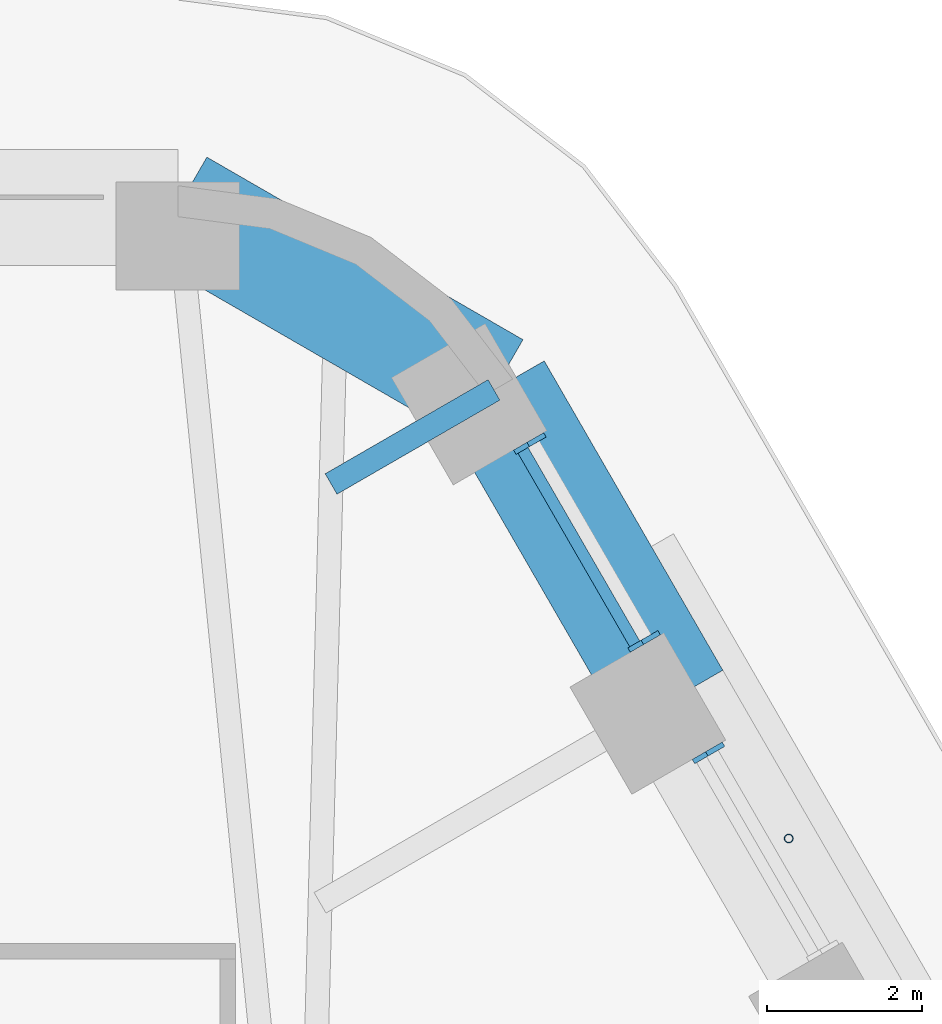
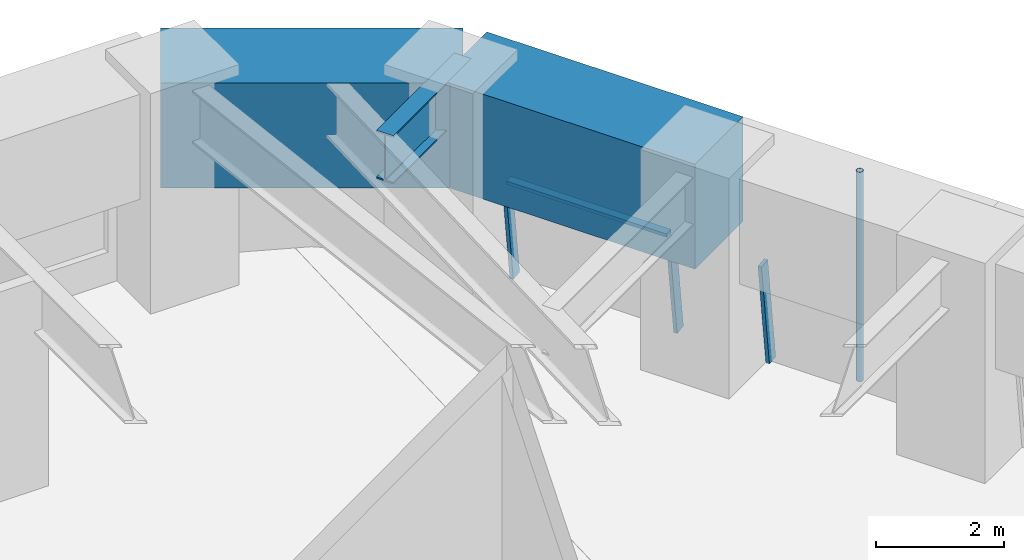
# One storey, part 12 of 20: 5 members, 3 beams, 2 elements without a shape of their own.
"""IFC4 building model written with IfcOpenShell, lengths in metres."""

from ifc_helpers import new_model, si_unit, direction, frame, origin, origin_2d, place, context, subcontext, project, spatial, rectangle, hollow_circle, i_section, extrude, material, material_profile, profile_set, type_object, element, aggregate, save


model = new_model("IFC4")

# Units and contexts
model_context = context("Model", 3, precision=1e-05, world=origin(), true_north=direction((0.0, 1.0)))
body_context = subcontext(model_context, "Body", "Model", "MODEL_VIEW")
ifc_project = project(units=[si_unit("LENGTHUNIT", "METRE"), si_unit("AREAUNIT", "SQUARE_METRE"), si_unit("VOLUMEUNIT", "CUBIC_METRE"), si_unit("PLANEANGLEUNIT", "RADIAN"), si_unit("MASSUNIT", "GRAM", prefix="KILO")], contexts=[model_context])

# Site, building, storey
site_placement = place(None, origin())
site = spatial("IfcSite", under=ifc_project, at=site_placement, CompositionType="ELEMENT")
building_placement = place(site_placement, origin())
building = spatial("IfcBuilding", under=site, at=building_placement, Name="Tarfa Lantern Tower", CompositionType="ELEMENT")
storey_placement = place(building_placement, frame((0.0, 0.0, 223.89990234375)))
storey = spatial("IfcBuildingStorey", under=building, at=storey_placement, Name="L50", CompositionType="ELEMENT", Elevation=223.89990234375)

# Curtain wall, member
ifc_material_1 = material(Name="Aluminium framed curtain wall", Category="aluminium")
curtain_wall_type = type_object("IfcCurtainWallType", Name="CW3 CANTED GLAZING HIGH ZONE 2000", PredefinedType="USERDEFINED", material=ifc_material_1)
curtain_wall_1_placement = place(storey_placement, origin())
curtain_wall_1 = element("IfcCurtainWall", 1, at=curtain_wall_1_placement, inside=storey, type_object=curtain_wall_type, Name="CW3 NE L50", ObjectType="CURTAIN WALL", PredefinedType="USERDEFINED")
ifc_material_2 = material(Name="Aluminium mullion", Category="aluminium")
ifc_material_profile_1 = material_profile(ifc_material_2, rectangle(XDim=0.06494140625, YDim=0.199951171875, at=origin_2d()), Name="AL MULLION 65x200")
ifc_profile_set_1 = profile_set([ifc_material_profile_1], Name="Aluminium mullion")
member_type_1 = type_object("IfcMemberType", Name="CWM1 MULLION 65x200", PredefinedType="MULLION", material=ifc_profile_set_1)
member_1_placement = place(storey_placement, frame((20.82568359375, 21.72900390625, 0.0), z_axis=(-0.107439978116, -0.062017213975, 0.992275423596), x_axis=(0.499919672301, -0.866071776036, 0.0)))
member_1 = element("IfcMember", 2, at=member_1_placement, type_object=member_type_1, Name="CW3 mullion 2", PredefinedType="MULLION", context=body_context, shape_type="SweptSolid", body=[
    extrude(rectangle(XDim=0.06494140625, YDim=0.199951171875, at=origin_2d()), origin(), (0.0, 0.0, 1.0), 2.015625),
])
aggregate(curtain_wall_1, [member_1])

# Curtain wall, members
curtain_wall_2_placement = place(storey_placement, origin())
curtain_wall_2 = element("IfcCurtainWall", 3, at=curtain_wall_2_placement, inside=storey, type_object=curtain_wall_type, Name="CW3 NE L50", ObjectType="CURTAIN WALL", PredefinedType="USERDEFINED")
member_2_placement = place(storey_placement, frame((19.9931640625, 23.1708984375, 0.0), z_axis=(-0.107439978116, -0.062017213975, 0.992275423596), x_axis=(0.499919672301, -0.866071776036, 0.0)))
member_2 = element("IfcMember", 4, at=member_2_placement, type_object=member_type_1, Name="CW3 mullion 1", PredefinedType="MULLION", context=body_context, shape_type="SweptSolid", body=[
    extrude(rectangle(XDim=0.06494140625, YDim=0.199951171875, at=origin_2d()), origin(), (0.0, 0.0, 1.0), 2.015625),
])
member_3_placement = place(storey_placement, frame((18.51611328125, 25.72900390625, 0.0), z_axis=(-0.107439978116, -0.062017213975, 0.992275423596), x_axis=(0.499919672301, -0.866071776036, 0.0)))
member_3 = element("IfcMember", 5, at=member_3_placement, type_object=member_type_1, Name="CW3 mullion 2", PredefinedType="MULLION", context=body_context, shape_type="SweptSolid", body=[
    extrude(rectangle(XDim=0.06494140625, YDim=0.199951171875, at=origin_2d()), origin(), (0.0, 0.0, 1.0), 2.015625),
])
ifc_material_3 = material(Name="Aluminium transom", Category="aluminium")
ifc_material_profile_2 = material_profile(ifc_material_3, rectangle(XDim=0.14990234375, YDim=0.06494140625, at=origin_2d()), Name="AL TRANSOM 150x65")
ifc_profile_set_2 = profile_set([ifc_material_profile_2], Name="Aluminium transom")
member_type_2 = type_object("IfcMemberType", Name="CWT1 TRANSOM 150x65", PredefinedType="USERDEFINED", material=ifc_profile_set_2)
member_4_placement = place(storey_placement, frame((19.763916015625, 23.076171875, 1.967529296875), z_axis=(-0.500056524144, 0.865992767095, 0.0), x_axis=(-0.865992767095, -0.500056524144, 0.0)))
member_4 = element("IfcMember", 6, at=member_4_placement, type_object=member_type_2, Name="CW3 transom 1.2", ObjectType="TRANSOM", PredefinedType="USERDEFINED", context=body_context, shape_type="SweptSolid", body=[
    extrude(rectangle(XDim=0.14990234375, YDim=0.06494140625, at=origin_2d()), origin(), (0.0, 0.0, 1.0), 2.888916015625),
])
aggregate(curtain_wall_2, [member_2, member_3, member_4])

# Beams
ifc_material_4 = material(Name="Concrete C80/95", Category="concrete")
ifc_material_profile_3 = material_profile(ifc_material_4, rectangle(XDim=1.5, YDim=2.0, at=origin_2d()), Name="RC 1500x2000")
ifc_profile_set_3 = profile_set([ifc_material_profile_3], Name="Concrete C80/95")
beam_type_1 = type_object("IfcBeamType", Name="RB3 RC 1500x2000", PredefinedType="BEAM", material=ifc_profile_set_3)
beam_1_placement = place(storey_placement, frame((20.25341796875, 22.360107421875, 3.0), z_axis=(-0.499987836815, 0.866032426089, 0.0), x_axis=(-0.866032426089, -0.499987836815, 0.0)))
element("IfcBeam", 7, at=beam_1_placement, inside=storey, type_object=beam_type_1, Name="Edge beam NE5", PredefinedType="BEAM", context=body_context, shape_type="SweptSolid", body=[
    extrude(rectangle(XDim=1.5, YDim=2.0, at=origin_2d()), origin(), (0.0, 0.0, 1.0), 4.61865234375),
])
beam_2_placement = place(storey_placement, frame((17.944091796875, 26.360107421875, 3.0), z_axis=(-0.866038294681, 0.499977671647, 0.0), x_axis=(-0.499977671647, -0.866038294681, 0.0)))
element("IfcBeam", 8, at=beam_2_placement, inside=storey, type_object=beam_type_1, Name="Edge beam NE6", PredefinedType="BEAM", context=body_context, shape_type="SweptSolid", body=[
    extrude(rectangle(XDim=1.5, YDim=2.0, at=origin_2d()), origin(), (0.0, 0.0, 1.0), 4.719970703125),
])

# Member
ifc_material_5 = material(Name="Steel S355", Category="steel")
ifc_material_profile_4 = material_profile(ifc_material_5, hollow_circle(Radius=0.05712890625, WallThickness=0.00634765625, at=origin_2d()), Name="CHS114.3x6.3")
ifc_profile_set_4 = profile_set([ifc_material_profile_4], Name="Steel S355")
member_type_3 = type_object("IfcMemberType", Name="TR1 GREEN WALL TRELLIS CHS114.3x6.3", PredefinedType="USERDEFINED", material=ifc_profile_set_4)
member_5_placement = place(storey_placement, frame((21.754638671875, 20.56005859375, 0.0), z_axis=(0.0, 0.0, 1.0), x_axis=(1.0, 0.0, 0.0)))
element("IfcMember", 9, at=member_5_placement, inside=storey, type_object=member_type_3, Name="Trellis post NE 2", ObjectType="TRELLIS", PredefinedType="USERDEFINED", context=body_context, shape_type="SweptSolid", body=[
    extrude(hollow_circle(Radius=0.05712890625, WallThickness=0.00634765625, at=origin_2d()), origin(), (0.0, 0.0, 1.0), 4.0),
])

# Beam
ifc_material_6 = material(Name="Steel S460M", Category="steel")
ifc_material_profile_5 = material_profile(ifc_material_6, i_section(OverallWidth=0.305419921875, OverallDepth=0.91845703125, WebThickness=0.017333984375, FlangeThickness=0.02783203125, FilletRadius=0.01904296875, at=origin_2d()), Name="UB914x305x253")
ifc_profile_set_5 = profile_set([ifc_material_profile_5], Name="Steel S460M")
beam_type_2 = type_object("IfcBeamType", Name="UB914x305x253", PredefinedType="BEAM", material=ifc_profile_set_5)
beam_3_placement = place(storey_placement, frame((17.944091796875, 26.360107421875, 3.541015625), z_axis=(-0.865980009423, -0.5000786171, 0.0), x_axis=(0.5000786171, -0.865980009423, 0.0)))
element("IfcBeam", 10, at=beam_3_placement, inside=storey, type_object=beam_type_2, Name="Floor beam NE6", PredefinedType="BEAM", context=body_context, shape_type="SweptSolid", body=[
    extrude(i_section(OverallWidth=0.305419921875, OverallDepth=0.91845703125, WebThickness=0.017333984375, FlangeThickness=0.02783203125, FilletRadius=0.01904296875, at=origin_2d()), origin(), (0.0, 0.0, 1.0), 2.4326171875),
])

save(model, "model.ifc")
